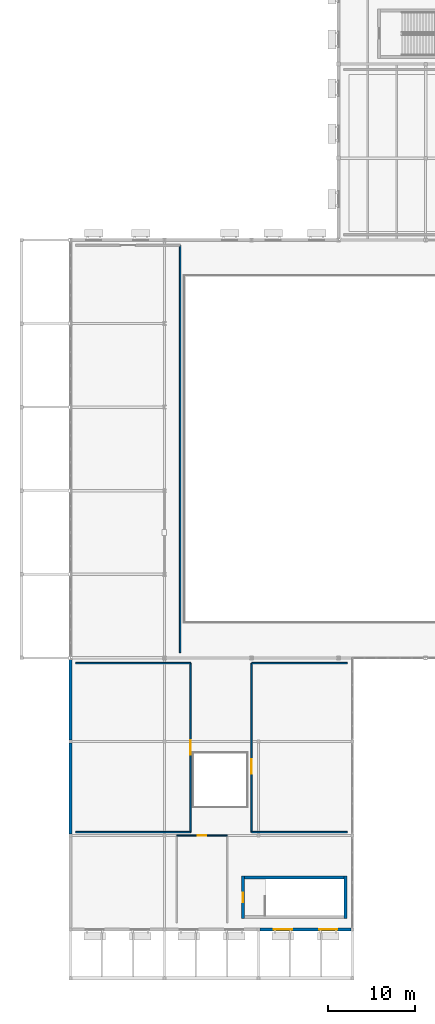
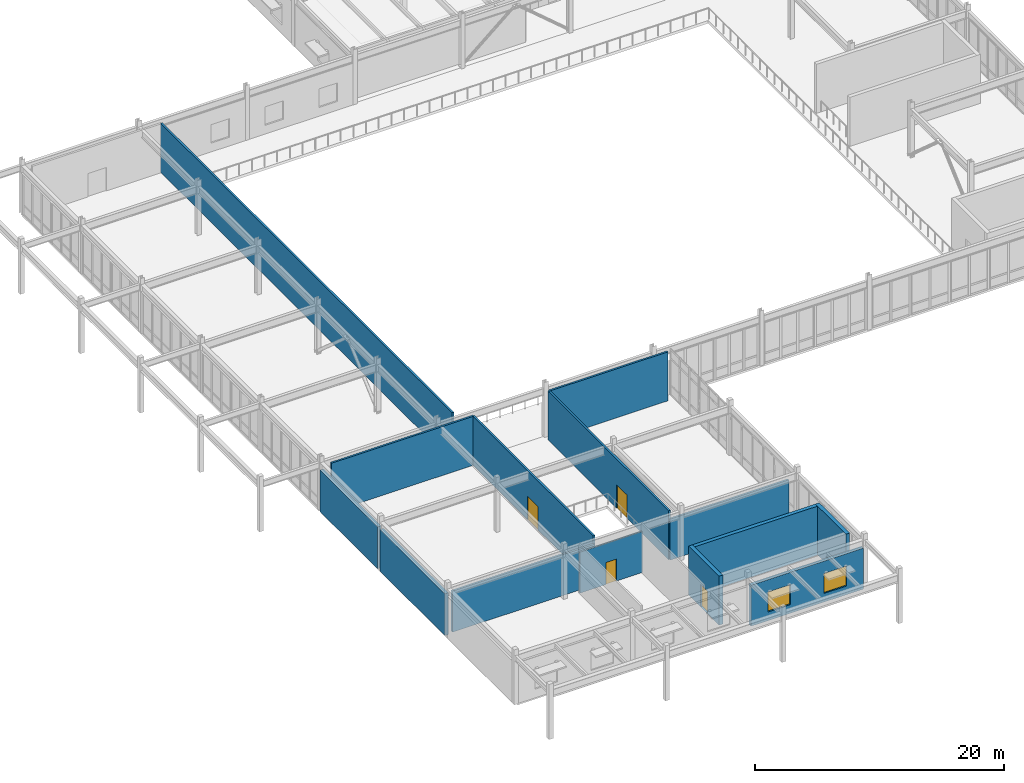
# One storey, part 42 of 68: 14 walls, 4 doors, 2 windows, 6 openings.
"""IFC4 building model written with IfcOpenShell, lengths in metres."""

from ifc_helpers import new_model, si_unit, direction, frame, frame_2d, origin, place, context, subcontext, project, spatial, rectangle, extrude, material, layer, layer_set, type_object, element, fill, save


model = new_model("IFC4")

# Units and contexts
model_context = context("Model", 3, precision=1e-05, world=origin(), true_north=direction((0.0, 1.0)))
body_context = subcontext(model_context, "Body", "Model", "MODEL_VIEW")
ifc_project = project(units=[si_unit("LENGTHUNIT", "METRE"), si_unit("AREAUNIT", "SQUARE_METRE"), si_unit("VOLUMEUNIT", "CUBIC_METRE"), si_unit("PLANEANGLEUNIT", "RADIAN"), si_unit("MASSUNIT", "GRAM", prefix="KILO")], contexts=[model_context])

# Site, building, storey
site_placement = place(None, origin())
site = spatial("IfcSite", under=ifc_project, at=site_placement, CompositionType="ELEMENT")
building_placement = place(site_placement, origin())
building = spatial("IfcBuilding", under=site, at=building_placement, Name="Veldera Park Congress Hotel", CompositionType="ELEMENT")
storey_placement = place(building_placement, frame((0.0, 0.0, 10.800048828125)))
storey = spatial("IfcBuildingStorey", under=building, at=storey_placement, Name="L02", CompositionType="ELEMENT", Elevation=10.800048828125)

# Walls
ifc_material_1 = material(Name="Cross-laminated timber CLT V2M1.1", Category="wood")
ifc_layer_1 = layer(ifc_material_1, 0.320068359375)
ifc_layer_set_1 = layer_set([ifc_layer_1], Name="Cross-laminated timber CLT V2M1.1")
wall_type_1 = type_object("IfcWallType", Name="EW-CLT320", PredefinedType="STANDARD", material=ifc_layer_set_1)
wall_1_placement = place(storey_placement, frame((-78.199951171875, -21.181884765625, 0.0), z_axis=(0.0, 0.0, 1.0), x_axis=(0.0, -1.0, 0.0)))
element("IfcWall", 1, at=wall_1_placement, inside=storey, type_object=wall_type_1, Name="L02 Exterior Wall EW3-L02-0095", PredefinedType="STANDARD", context=body_context, shape_type="SweptSolid", body=[
    extrude(rectangle(XDim=9.22509765625, YDim=0.320068359375, at=frame_2d((4.612548828125, 0.0))), origin(), (0.0, 0.0, 1.0), 4.098876953125),
])
wall_2_placement = place(storey_placement, frame((-78.199951171875, -30.79296875, 0.0), z_axis=(0.0, 0.0, 1.0), x_axis=(0.0, -1.0, 0.0)))
element("IfcWall", 2, at=wall_2_placement, inside=storey, type_object=wall_type_1, Name="L02 Exterior Wall EW3-L02-0096", PredefinedType="STANDARD", context=body_context, shape_type="SweptSolid", body=[
    extrude(rectangle(XDim=10.4140625, YDim=0.320068359375, at=frame_2d((5.20703125, 0.0))), origin(), (0.0, 0.0, 1.0), 4.098876953125),
])

# Wall, openings, windows
wall_3_placement = place(storey_placement, frame((-56.406982421875, -52.199951171875, 0.0), z_axis=(0.0, 0.0, 1.0), x_axis=(1.0, 0.0, 0.0)))
wall_3 = element("IfcWall", 3, at=wall_3_placement, inside=storey, type_object=wall_type_1, Name="L02 Exterior Wall EW3-L02-0100", PredefinedType="STANDARD", context=body_context, shape_type="SweptSolid", body=[
    extrude(rectangle(XDim=10.4140625, YDim=0.320068359375, at=frame_2d((5.20703125, 0.0))), origin(), (0.0, 0.0, 1.0), 4.015869140625),
])
opening_1_placement = place(wall_3_placement, frame((1.553466796875, 0.0, 0.85009765625)))
opening_1 = element("IfcOpeningElement", 4, at=opening_1_placement, cuts=wall_3, Name="Opening WIN-2100", PredefinedType="OPENING", context=body_context, shape_type="SweptSolid", body=[
    extrude(rectangle(XDim=2.10009765625, YDim=1.949951171875, at=frame_2d((1.050048828125, 0.97509765625))), frame((0.0, 0.172119140625, 0.0), z_axis=(0.0, -1.0, 0.0), x_axis=(1.0, 0.0, 0.0)), (0.0, 0.0, 1.0), 0.343994140625),
])
opening_2_placement = place(wall_3_placement, frame((6.760498046875, 0.0, 0.85009765625)))
opening_2 = element("IfcOpeningElement", 5, at=opening_2_placement, cuts=wall_3, Name="Opening WIN-2100", PredefinedType="OPENING", context=body_context, shape_type="SweptSolid", body=[
    extrude(rectangle(XDim=2.10009765625, YDim=1.949951171875, at=frame_2d((1.050048828125, 0.97509765625))), frame((0.0, 0.172119140625, 0.0), z_axis=(0.0, -1.0, 0.0), x_axis=(1.0, 0.0, 0.0)), (0.0, 0.0, 1.0), 0.343994140625),
])
ifc_material_2 = material(Name="Low-E Triple Insulating Glass Unit (SHGC 0.22)", Category="glass")
window_type = type_object("IfcWindowType", Name="WIN-2100", PartitioningType="DOUBLE_PANEL_VERTICAL", PredefinedType="WINDOW", material=ifc_material_2)
window_1_placement = place(opening_1_placement, origin())
window_1 = element("IfcWindow", 6, at=window_1_placement, inside=storey, type_object=window_type, Name="L02 Window WIN-2100 118", OverallHeight=1.949951171875, OverallWidth=2.10009765625, PartitioningType="DOUBLE_PANEL_VERTICAL", PredefinedType="WINDOW", context=body_context, shape_type="SweptSolid", body=[
    extrude(rectangle(XDim=2.10009765625, YDim=1.949951171875, at=frame_2d((1.050048828125, 0.97509765625))), frame((0.0, 0.030029296875, 0.0), z_axis=(0.0, -1.0, 0.0), x_axis=(1.0, 0.0, 0.0)), (0.0, 0.0, 1.0), 0.06005859375),
])
fill(opening_1, window_1)
window_2_placement = place(opening_2_placement, origin())
window_2 = element("IfcWindow", 7, at=window_2_placement, inside=storey, type_object=window_type, Name="L02 Window WIN-2100 119", OverallHeight=1.949951171875, OverallWidth=2.10009765625, PartitioningType="DOUBLE_PANEL_VERTICAL", PredefinedType="WINDOW", context=body_context, shape_type="SweptSolid", body=[
    extrude(rectangle(XDim=2.10009765625, YDim=1.949951171875, at=frame_2d((1.050048828125, 0.97509765625))), frame((0.0, 0.030029296875, 0.0), z_axis=(0.0, -1.0, 0.0), x_axis=(1.0, 0.0, 0.0)), (0.0, 0.0, 1.0), 0.06005859375),
])
fill(opening_2, window_2)

# Walls
ifc_material_3 = material(Name="Fire-Rated Gypsum Board on Cold-Formed Steel Studs", Category="steel")
ifc_layer_2 = layer(ifc_material_3, 0.179931640625)
ifc_layer_set_2 = layer_set([ifc_layer_2], Name="Fire-Rated Gypsum Board on Cold-Formed Steel Studs")
wall_type_2 = type_object("IfcWallType", Name="IW-CORR180", PredefinedType="PARTITIONING", material=ifc_layer_set_2)
wall_4_placement = place(storey_placement, frame((-65.60009765625, -20.39990234375, 0.0), z_axis=(0.0, 0.0, 1.0), x_axis=(0.0, 1.0, 0.0)))
element("IfcWall", 8, at=wall_4_placement, inside=storey, type_object=wall_type_2, Name="L02 Partition Wall IW3-L02-00174", PredefinedType="PARTITIONING", context=body_context, shape_type="SweptSolid", body=[
    extrude(rectangle(XDim=46.7998046875, YDim=0.179931640625, at=frame_2d((23.39990234375, 0.0))), origin(), (0.0, 0.0, 1.0), 4.800048828125),
])
wall_5_placement = place(storey_placement, frame((-77.60009765625, -41.0, 0.0), z_axis=(0.0, 0.0, 1.0), x_axis=(1.0, 0.0, 0.0)))
element("IfcWall", 9, at=wall_5_placement, inside=storey, type_object=wall_type_2, Name="L02 Partition Wall IW3-L02-00192", PredefinedType="PARTITIONING", context=body_context, shape_type="SweptSolid", body=[
    extrude(rectangle(XDim=13.2001953125, YDim=0.179931640625, at=frame_2d((6.60009765625, 0.0))), origin(), (0.0, 0.0, 1.0), 4.015869140625),
])

# Wall, opening, door
wall_6_placement = place(storey_placement, frame((-64.39990234375, -41.0, 0.0), z_axis=(0.0, 0.0, 1.0), x_axis=(0.0, 1.0, 0.0)))
wall_6 = element("IfcWall", 10, at=wall_6_placement, inside=storey, type_object=wall_type_2, Name="L02 Partition Wall IW3-L02-00193", PredefinedType="PARTITIONING", context=body_context, shape_type="SweptSolid", body=[
    extrude(rectangle(XDim=19.39990234375, YDim=0.179931640625, at=frame_2d((9.699951171875, 0.0))), origin(), (0.0, 0.0, 1.0), 4.800048828125),
])
opening_3_placement = place(wall_6_placement, frame((8.85009765625, 0.0, 0.0)))
opening_3 = element("IfcOpeningElement", 11, at=opening_3_placement, cuts=wall_6, Name="Opening ID-HALL170", PredefinedType="OPENING", context=body_context, shape_type="SweptSolid", body=[
    extrude(rectangle(XDim=1.699951171875, YDim=2.300048828125, at=frame_2d((0.85009765625, 1.14990234375))), frame((0.0, 0.10205078125, 0.0), z_axis=(0.0, -1.0, 0.0), x_axis=(1.0, 0.0, 0.0)), (0.0, 0.0, 1.0), 0.203857421875),
])
ifc_material_4 = material(Name="Solid Core White Oak Architectural Door", Category="wood")
door_type_1 = type_object("IfcDoorType", Name="ID-HALL170", OperationType="DOUBLE_DOOR_SINGLE_SWING", PredefinedType="DOOR", material=ifc_material_4)
door_1_placement = place(opening_3_placement, origin())
door_1 = element("IfcDoor", 12, at=door_1_placement, inside=storey, type_object=door_type_1, Name="L02 Movement Pilates and Mindful Yoga Studio Door ID3-L02-0068 (DR3-ID3-L02-0068)", OperationType="DOUBLE_DOOR_SINGLE_SWING", OverallHeight=2.300048828125, OverallWidth=1.699951171875, PredefinedType="DOOR", context=body_context, shape_type="SweptSolid", body=[
    extrude(rectangle(XDim=1.699951171875, YDim=2.300048828125, at=frame_2d((0.85009765625, 1.14990234375))), frame((0.0, 0.02490234375, 0.0), z_axis=(0.0, -1.0, 0.0), x_axis=(1.0, 0.0, 0.0)), (0.0, 0.0, 1.0), 0.050048828125),
])
fill(opening_3, door_1)

# Walls
wall_7_placement = place(storey_placement, frame((-64.39990234375, -21.60009765625, 0.0), z_axis=(0.0, 0.0, 1.0), x_axis=(-1.0, 0.0, 0.0)))
element("IfcWall", 13, at=wall_7_placement, inside=storey, type_object=wall_type_2, Name="L02 Partition Wall IW3-L02-00194", PredefinedType="PARTITIONING", context=body_context, shape_type="SweptSolid", body=[
    extrude(rectangle(XDim=13.2001953125, YDim=0.179931640625, at=frame_2d((6.60009765625, 0.0))), origin(), (0.0, 0.0, 1.0), 4.800048828125),
])
wall_8_placement = place(storey_placement, frame((-57.39990234375, -41.0, 0.0), z_axis=(0.0, 0.0, 1.0), x_axis=(1.0, 0.0, 0.0)))
element("IfcWall", 14, at=wall_8_placement, inside=storey, type_object=wall_type_2, Name="L02 Partition Wall IW3-L02-00195", PredefinedType="PARTITIONING", context=body_context, shape_type="SweptSolid", body=[
    extrude(rectangle(XDim=11.0, YDim=0.179931640625, at=frame_2d((5.5, 0.0))), origin(), (0.0, 0.0, 1.0), 4.015869140625),
])
wall_9_placement = place(storey_placement, frame((-46.39990234375, -21.60009765625, 0.0), z_axis=(0.0, 0.0, 1.0), x_axis=(-1.0, 0.0, 0.0)))
element("IfcWall", 15, at=wall_9_placement, inside=storey, type_object=wall_type_2, Name="L02 Partition Wall IW3-L02-00196", PredefinedType="PARTITIONING", context=body_context, shape_type="SweptSolid", body=[
    extrude(rectangle(XDim=11.0, YDim=0.179931640625, at=frame_2d((5.5, 0.0))), origin(), (0.0, 0.0, 1.0), 4.800048828125),
])

# Wall, opening, door
wall_10_placement = place(storey_placement, frame((-57.39990234375, -21.60009765625, 0.0), z_axis=(0.0, 0.0, 1.0), x_axis=(0.0, -1.0, 0.0)))
wall_10 = element("IfcWall", 16, at=wall_10_placement, inside=storey, type_object=wall_type_2, Name="L02 Partition Wall IW3-L02-00197", PredefinedType="PARTITIONING", context=body_context, shape_type="SweptSolid", body=[
    extrude(rectangle(XDim=19.39990234375, YDim=0.179931640625, at=frame_2d((9.699951171875, 0.0))), origin(), (0.0, 0.0, 1.0), 4.800048828125),
])
opening_4_placement = place(wall_10_placement, frame((11.032470703125, 0.0, 0.0)))
opening_4 = element("IfcOpeningElement", 17, at=opening_4_placement, cuts=wall_10, Name="Opening ID-HALL170", PredefinedType="OPENING", context=body_context, shape_type="SweptSolid", body=[
    extrude(rectangle(XDim=1.699951171875, YDim=2.300048828125, at=frame_2d((0.85009765625, 1.14990234375))), frame((0.0, 0.10205078125, 0.0), z_axis=(0.0, -1.0, 0.0), x_axis=(1.0, 0.0, 0.0)), (0.0, 0.0, 1.0), 0.203857421875),
])
door_2_placement = place(opening_4_placement, origin())
door_2 = element("IfcDoor", 18, at=door_2_placement, inside=storey, type_object=door_type_1, Name="L02 Cardio and Strength Fitness Pavilion Door ID3-L02-0069 (DR3-ID3-L02-0069)", OperationType="DOUBLE_DOOR_SINGLE_SWING", OverallHeight=2.300048828125, OverallWidth=1.699951171875, PredefinedType="DOOR", context=body_context, shape_type="SweptSolid", body=[
    extrude(rectangle(XDim=1.699951171875, YDim=2.300048828125, at=frame_2d((0.85009765625, 1.14990234375))), frame((0.0, 0.02490234375, 0.0), z_axis=(0.0, -1.0, 0.0), x_axis=(1.0, 0.0, 0.0)), (0.0, 0.0, 1.0), 0.050048828125),
])
fill(opening_4, door_2)

ifc_layer_3 = layer(ifc_material_3, 0.14990234375)
ifc_layer_set_3 = layer_set([ifc_layer_3], Name="Fire-Rated Gypsum Board on Cold-Formed Steel Studs")
wall_type_3 = type_object("IfcWallType", Name="IW-PLMB150", PredefinedType="PLUMBINGWALL", material=ifc_layer_set_3)
wall_11_placement = place(storey_placement, frame((-60.199951171875, -41.39990234375, 0.0), z_axis=(0.0, 0.0, 1.0), x_axis=(-1.0, 0.0, 0.0)))
wall_11 = element("IfcWall", 19, at=wall_11_placement, inside=storey, type_object=wall_type_3, Name="L02 Partition Wall IW3-L02-00199", PredefinedType="PLUMBINGWALL", context=body_context, shape_type="SweptSolid", body=[
    extrude(rectangle(XDim=5.800048828125, YDim=0.14990234375, at=frame_2d((2.89990234375, 0.0))), origin(), (0.0, 0.0, 1.0), 4.015869140625),
])
opening_5_placement = place(wall_11_placement, frame((2.425048828125, 0.0, 0.0)))
opening_5 = element("IfcOpeningElement", 20, at=opening_5_placement, cuts=wall_11, Name="Opening ID-WC095", PredefinedType="OPENING", context=body_context, shape_type="SweptSolid", body=[
    extrude(rectangle(XDim=0.949951171875, YDim=2.14990234375, at=frame_2d((0.47509765625, 1.074951171875))), frame((0.0, 0.0869140625, 0.0), z_axis=(0.0, -1.0, 0.0), x_axis=(1.0, 0.0, 0.0)), (0.0, 0.0, 1.0), 0.173828125),
])
door_type_2 = type_object("IfcDoorType", Name="ID-WC095", OperationType="NOTDEFINED", PredefinedType="DOOR", material=ifc_material_4)
door_3_placement = place(opening_5_placement, origin())
door_3 = element("IfcDoor", 21, at=door_3_placement, inside=storey, type_object=door_type_2, Name="L02 Spa Upper Accessible Changing and WC Door ID3-L02-0070 (DR3-ID3-L02-0070)", OperationType="SINGLE_SWING_RIGHT", OverallHeight=2.14990234375, OverallWidth=0.949951171875, PredefinedType="DOOR", context=body_context, shape_type="SweptSolid", body=[
    extrude(rectangle(XDim=0.949951171875, YDim=2.14990234375, at=frame_2d((0.47509765625, 1.074951171875))), frame((0.0, 0.02490234375, 0.0), z_axis=(0.0, -1.0, 0.0), x_axis=(1.0, 0.0, 0.0)), (0.0, 0.0, 1.0), 0.050048828125),
])
fill(opening_5, door_3)

# Walls
ifc_material_5 = material(Name="Concrete f'c 40 MPa (5,800 psi)", Category="concrete")
ifc_layer_4 = layer(ifc_material_5, 0.35009765625)
ifc_layer_set_4 = layer_set([ifc_layer_4], Name="Concrete f'c 40 MPa (5,800 psi)")
wall_type_4 = type_object("IfcWallType", Name="SW-CORE350", PredefinedType="SHEAR", material=ifc_layer_set_4)
wall_12_placement = place(storey_placement, frame((-46.625, -50.949951171875, 0.0), z_axis=(0.0, 0.0, 1.0), x_axis=(0.0, 1.0, 0.0)))
element("IfcWall", 22, at=wall_12_placement, inside=storey, type_object=wall_type_4, Name="Stair ST8 Core Wall L02-E", PredefinedType="SHEAR", context=body_context, shape_type="SweptSolid", body=[
    extrude(rectangle(XDim=4.89990234375, YDim=0.35009765625, at=frame_2d((2.449951171875, 0.0))), origin(), (0.0, 0.0, 1.0), 4.800048828125),
])
wall_13_placement = place(storey_placement, frame((-46.449951171875, -46.22509765625, 0.0), z_axis=(0.0, 0.0, 1.0), x_axis=(-1.0, 0.0, 0.0)))
element("IfcWall", 23, at=wall_13_placement, inside=storey, type_object=wall_type_4, Name="Stair ST8 Core Wall L02-N", PredefinedType="SHEAR", context=body_context, shape_type="SweptSolid", body=[
    extrude(rectangle(XDim=12.10009765625, YDim=0.35009765625, at=frame_2d((6.050048828125, 0.0))), origin(), (0.0, 0.0, 1.0), 4.800048828125),
])

# Wall, opening, door
wall_14_placement = place(storey_placement, frame((-58.375, -46.050048828125, 0.0), z_axis=(0.0, 0.0, 1.0), x_axis=(0.0, -1.0, 0.0)))
wall_14 = element("IfcWall", 24, at=wall_14_placement, inside=storey, type_object=wall_type_4, Name="Stair ST8 Core Wall L02-W", PredefinedType="SHEAR", context=body_context, shape_type="SweptSolid", body=[
    extrude(rectangle(XDim=4.89990234375, YDim=0.35009765625, at=frame_2d((2.449951171875, 0.0))), origin(), (0.0, 0.0, 1.0), 4.800048828125),
])
opening_6_placement = place(wall_14_placement, frame((1.89990234375, 0.0, 0.0)))
opening_6 = element("IfcOpeningElement", 25, at=opening_6_placement, cuts=wall_14, Name="Opening ID-STAIR110", PredefinedType="OPENING", context=body_context, shape_type="SweptSolid", body=[
    extrude(rectangle(XDim=1.10009765625, YDim=2.199951171875, at=frame_2d((0.550048828125, 1.10009765625))), frame((0.0, 0.18701171875, 0.0), z_axis=(0.0, -1.0, 0.0), x_axis=(1.0, 0.0, 0.0)), (0.0, 0.0, 1.0), 0.3740234375),
])
ifc_material_6 = material(Name="Hollow Metal Fire-Rated Steel Door", Category="steel")
door_type_3 = type_object("IfcDoorType", Name="ID-STAIR110", OperationType="NOTDEFINED", PredefinedType="DOOR", material=ifc_material_6)
door_4_placement = place(opening_6_placement, origin())
door_4 = element("IfcDoor", 26, at=door_4_placement, inside=storey, type_object=door_type_3, Name="L02 Stair ST8 Fire Door (DR3-SD-ST8-L02)", OperationType="SINGLE_SWING_LEFT", OverallHeight=2.199951171875, OverallWidth=1.10009765625, PredefinedType="DOOR", context=body_context, shape_type="SweptSolid", body=[
    extrude(rectangle(XDim=1.10009765625, YDim=2.199951171875, at=frame_2d((0.550048828125, 1.10009765625))), frame((0.0, 0.02490234375, 0.0), z_axis=(0.0, -1.0, 0.0), x_axis=(1.0, 0.0, 0.0)), (0.0, 0.0, 1.0), 0.050048828125),
])
fill(opening_6, door_4)

save(model, "model.ifc")
